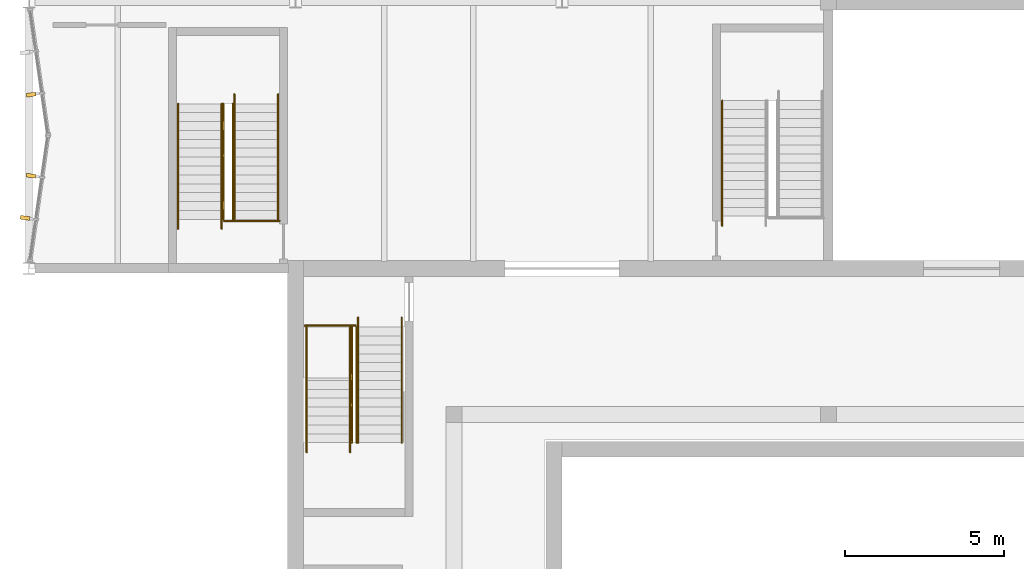
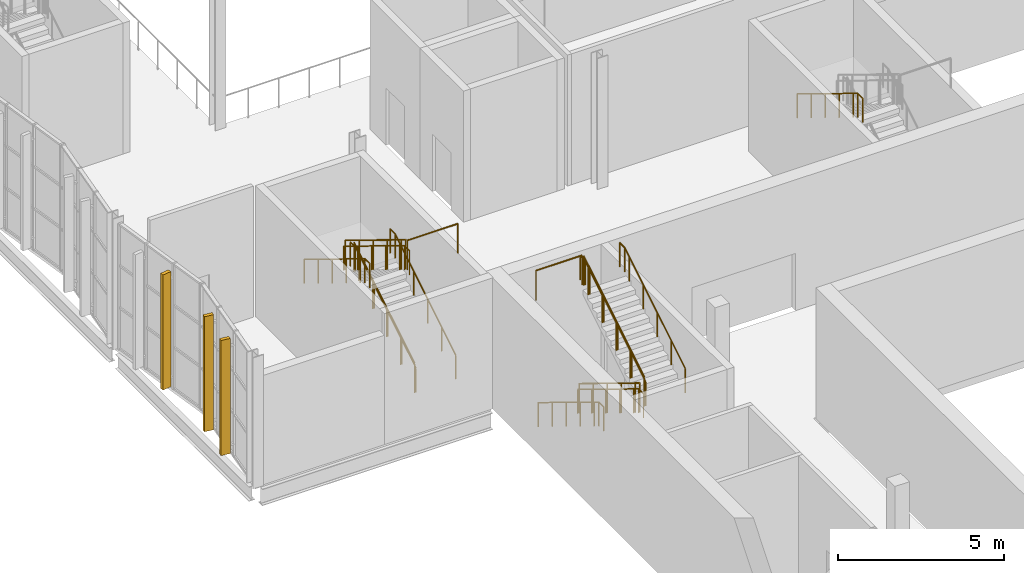
# One storey, part 109 of 127: 15 railings, 3 shading devices.
"""IFC4 building model written with IfcOpenShell, lengths in metres."""

from ifc_helpers import new_model, si_unit, direction, frame, origin, origin_2d, place, context, subcontext, project, spatial, rectangle, circle, extrude, material, type_object, element, save


model = new_model("IFC4")

# Units and contexts
model_context = context("Model", 3, precision=1e-05, world=origin(), true_north=direction((0.0, 1.0)))
body_context = subcontext(model_context, "Body", "Model", "MODEL_VIEW")
ifc_project = project(units=[si_unit("LENGTHUNIT", "METRE"), si_unit("AREAUNIT", "SQUARE_METRE"), si_unit("VOLUMEUNIT", "CUBIC_METRE"), si_unit("PLANEANGLEUNIT", "RADIAN"), si_unit("MASSUNIT", "GRAM", prefix="KILO")], contexts=[model_context])

# Site, building, storey
site_placement = place(None, origin())
site = spatial("IfcSite", under=ifc_project, at=site_placement, CompositionType="ELEMENT")
building_placement = place(site_placement, origin())
building = spatial("IfcBuilding", under=site, at=building_placement, Name="Ljudholm Concert House", CompositionType="ELEMENT")
storey_placement = place(building_placement, frame((0.0, 0.0, 5.39990234375)))
storey = spatial("IfcBuildingStorey", under=building, at=storey_placement, Name="L01", CompositionType="ELEMENT", Elevation=5.39990234375)

# Shading devices
ifc_material_1 = material(Name="Aluminium extrusion with timber-grain PVDF finish", Category="aluminium")
shading_device_type = type_object("IfcShadingDeviceType", Name="FACADE FIN 300x120", PredefinedType="SHUTTER", material=ifc_material_1)
for number, where, z_axis, x_axis, name in (
    (1, (3.874267578125, 47.5947265625, 0.2001953125), (0.0, 0.0, 1.0), (-0.989949493662, 0.141421356235, 0.0), "Facade fin"),
    (2, (4.06396484375, 48.922119140625, 0.2001953125), (0.0, 0.0, 1.0), (-0.989949493662, 0.141421356235, 0.0), "Facade fin"),
    (3, (4.06396484375, 51.47802734375, 0.2001953125), (0.0, 0.0, 1.0), (-0.989949493662, -0.141421356235, 0.0), "Facade fin"),
):
    element("IfcShadingDevice", number, at=place(storey_placement, frame(where, z_axis=z_axis, x_axis=x_axis)), inside=storey, type_object=shading_device_type, Name=name, PredefinedType="SHUTTER", context=body_context, shape_type="SweptSolid", body=[
        extrude(rectangle(XDim=0.300048828125, YDim=0.1201171875, at=origin_2d()), origin(), (0.0, 0.0, 1.0), 4.219970703125),
    ])

# Railings
ifc_material_2 = material(Name="Steel ASTM A36", Category="steel")
railing_type_1 = type_object("IfcRailingType", Name="GUARD 1100", PredefinedType="GUARDRAIL", material=ifc_material_2)
railing_1_placement = place(storey_placement, frame((14.175048828125, 44.14990234375, 0.171630859375)))
element("IfcRailing", 4, at=railing_1_placement, inside=storey, type_object=railing_type_1, Name="Guard", PredefinedType="GUARDRAIL", context=body_context, shape_type="SweptSolid", body=[
    extrude(circle(Radius=0.02490234375, at=origin_2d()), frame((0.0, 0.0, 1.0751953125), z_axis=(0.0, -0.85286482292, 0.522131778218), x_axis=(1.0, 0.0, 0.0)), (0.0, 0.0, 1.0), 0.984619140625),
    extrude(circle(Radius=0.02490234375, at=origin_2d()), frame((0.0, -0.83984375, 1.58935546875), z_axis=(0.0, -0.852822021269, 0.522201685212), x_axis=(1.0, 0.0, 0.0)), (0.0, 0.0, 1.0), 0.985107421875),
    extrude(circle(Radius=0.02490234375, at=origin_2d()), frame((0.0, -1.679931640625, 2.103515625), z_axis=(0.0, -0.852932391421, 0.522021393877), x_axis=(1.0, 0.0, 0.0)), (0.0, 0.0, 1.0), 0.98486328125),
    extrude(circle(Radius=0.02490234375, at=origin_2d()), frame((0.0, -2.52001953125, 2.61767578125), z_axis=(0.0, -0.852754414843, 0.522312079092), x_axis=(1.0, 0.0, 0.0)), (0.0, 0.0, 1.0), 0.98486328125),
    extrude(circle(Radius=0.02490234375, at=origin_2d()), frame((0.0, -3.35986328125, 3.13232421875), z_axis=(0.0, -0.852932391421, 0.522021393877), x_axis=(1.0, 0.0, 0.0)), (0.0, 0.0, 1.0), 0.328369140625),
    extrude(circle(Radius=0.02099609375, at=origin_2d()), origin(), (0.0, 0.0, 1.0), 1.050048828125),
    extrude(circle(Radius=0.02099609375, at=origin_2d()), frame((0.0, -0.83984375, 0.51416015625)), (0.0, 0.0, 1.0), 1.050048828125),
    extrude(circle(Radius=0.02099609375, at=origin_2d()), frame((0.0, -1.679931640625, 1.028564453125)), (0.0, 0.0, 1.0), 1.050048828125),
    extrude(circle(Radius=0.02099609375, at=origin_2d()), frame((0.0, -2.52001953125, 1.542724609375)), (0.0, 0.0, 1.0), 1.050048828125),
    extrude(circle(Radius=0.02099609375, at=origin_2d()), frame((0.0, -3.35986328125, 2.05712890625)), (0.0, 0.0, 1.0), 1.050048828125),
    extrude(circle(Radius=0.02099609375, at=origin_2d()), frame((0.0, -3.639892578125, 2.228515625)), (0.0, 0.0, 1.0), 1.050048828125),
])
railing_2_placement = place(storey_placement, frame((14.324951171875, 40.510009765625, 2.571533203125)))
element("IfcRailing", 5, at=railing_2_placement, inside=storey, type_object=railing_type_1, Name="Guard", PredefinedType="GUARDRAIL", context=body_context, shape_type="SweptSolid", body=[
    extrude(circle(Radius=0.02490234375, at=origin_2d()), frame((0.0, 0.0, 1.0751953125), z_axis=(0.0, 0.852932391421, 0.522021393877), x_axis=(-1.0, 0.0, 0.0)), (0.0, 0.0, 1.0), 0.98486328125),
    extrude(circle(Radius=0.02490234375, at=origin_2d()), frame((0.0, 0.840087890625, 1.58935546875), z_axis=(0.0, 0.852754414843, 0.522312079092), x_axis=(-1.0, 0.0, 0.0)), (0.0, 0.0, 1.0), 0.98486328125),
    extrude(circle(Radius=0.02490234375, at=origin_2d()), frame((0.0, 1.679931640625, 2.103515625), z_axis=(0.0, 0.852822021269, 0.522201685212), x_axis=(-1.0, 0.0, 0.0)), (0.0, 0.0, 1.0), 0.985107421875),
    extrude(circle(Radius=0.02490234375, at=origin_2d()), frame((0.0, 2.52001953125, 2.6181640625), z_axis=(0.0, 0.852932391421, 0.522021393877), x_axis=(-1.0, 0.0, 0.0)), (0.0, 0.0, 1.0), 0.98486328125),
    extrude(circle(Radius=0.02490234375, at=origin_2d()), frame((0.0, 3.360107421875, 3.13232421875), z_axis=(0.0, 0.852729557261, 0.522352660731), x_axis=(-1.0, 0.0, 0.0)), (0.0, 0.0, 1.0), 0.328125),
    extrude(circle(Radius=0.02099609375, at=origin_2d()), origin(), (0.0, 0.0, 1.0), 1.050048828125),
    extrude(circle(Radius=0.02099609375, at=origin_2d()), frame((0.0, 0.840087890625, 0.51416015625)), (0.0, 0.0, 1.0), 1.050048828125),
    extrude(circle(Radius=0.02099609375, at=origin_2d()), frame((0.0, 1.679931640625, 1.028564453125)), (0.0, 0.0, 1.0), 1.050048828125),
    extrude(circle(Radius=0.02099609375, at=origin_2d()), frame((0.0, 2.52001953125, 1.54296875)), (0.0, 0.0, 1.0), 1.050048828125),
    extrude(circle(Radius=0.02099609375, at=origin_2d()), frame((0.0, 3.360107421875, 2.05712890625)), (0.0, 0.0, 1.0), 1.050048828125),
    extrude(circle(Radius=0.02099609375, at=origin_2d()), frame((0.0, 3.639892578125, 2.228515625)), (0.0, 0.0, 1.0), 1.050048828125),
])
railing_3_placement = place(storey_placement, frame((12.699951171875, 44.199951171875, 4.800048828125)))
element("IfcRailing", 6, at=railing_3_placement, inside=storey, type_object=railing_type_1, Name="Guard", PredefinedType="GUARDRAIL", context=body_context, shape_type="SweptSolid", body=[
    extrude(circle(Radius=0.02490234375, at=origin_2d()), frame((0.0, 0.0, 1.0751953125), z_axis=(1.0, 0.0, 0.0), x_axis=(0.0, 1.0, 0.0)), (0.0, 0.0, 1.0), 1.60009765625),
    extrude(circle(Radius=0.02099609375, at=origin_2d()), origin(), (0.0, 0.0, 1.0), 1.050048828125),
    extrude(circle(Radius=0.02099609375, at=origin_2d()), frame((1.60009765625, 0.0, 0.0)), (0.0, 0.0, 1.0), 1.050048828125),
])
railing_4_placement = place(storey_placement, frame((10.425048828125, 47.550048828125, 0.171630859375)))
element("IfcRailing", 7, at=railing_4_placement, inside=storey, type_object=railing_type_1, Name="Guard", PredefinedType="GUARDRAIL", context=body_context, shape_type="SweptSolid", body=[
    extrude(circle(Radius=0.02490234375, at=origin_2d()), frame((0.0, 0.0, 1.0751953125), z_axis=(0.0, 0.85286482292, 0.522131778218), x_axis=(-1.0, 0.0, 0.0)), (0.0, 0.0, 1.0), 0.984619140625),
    extrude(circle(Radius=0.02490234375, at=origin_2d()), frame((0.0, 0.83984375, 1.58935546875), z_axis=(0.0, 0.852822021269, 0.522201685212), x_axis=(-1.0, 0.0, 0.0)), (0.0, 0.0, 1.0), 0.985107421875),
    extrude(circle(Radius=0.02490234375, at=origin_2d()), frame((0.0, 1.679931640625, 2.103515625), z_axis=(0.0, 0.852932391421, 0.522021393877), x_axis=(-1.0, 0.0, 0.0)), (0.0, 0.0, 1.0), 0.98486328125),
    extrude(circle(Radius=0.02490234375, at=origin_2d()), frame((0.0, 2.52001953125, 2.61767578125), z_axis=(0.0, 0.852754414843, 0.522312079092), x_axis=(-1.0, 0.0, 0.0)), (0.0, 0.0, 1.0), 0.98486328125),
    extrude(circle(Radius=0.02490234375, at=origin_2d()), frame((0.0, 3.35986328125, 3.13232421875), z_axis=(0.0, 0.852932391421, 0.522021393877), x_axis=(-1.0, 0.0, 0.0)), (0.0, 0.0, 1.0), 0.328369140625),
    extrude(circle(Radius=0.02099609375, at=origin_2d()), origin(), (0.0, 0.0, 1.0), 1.050048828125),
    extrude(circle(Radius=0.02099609375, at=origin_2d()), frame((0.0, 0.83984375, 0.51416015625)), (0.0, 0.0, 1.0), 1.050048828125),
    extrude(circle(Radius=0.02099609375, at=origin_2d()), frame((0.0, 1.679931640625, 1.028564453125)), (0.0, 0.0, 1.0), 1.050048828125),
    extrude(circle(Radius=0.02099609375, at=origin_2d()), frame((0.0, 2.52001953125, 1.542724609375)), (0.0, 0.0, 1.0), 1.050048828125),
    extrude(circle(Radius=0.02099609375, at=origin_2d()), frame((0.0, 3.35986328125, 2.05712890625)), (0.0, 0.0, 1.0), 1.050048828125),
    extrude(circle(Radius=0.02099609375, at=origin_2d()), frame((0.0, 3.639892578125, 2.228515625)), (0.0, 0.0, 1.0), 1.050048828125),
])
railing_5_placement = place(storey_placement, frame((10.125, 51.18994140625, 2.571533203125)))
element("IfcRailing", 8, at=railing_5_placement, inside=storey, type_object=railing_type_1, Name="Guard", PredefinedType="GUARDRAIL", context=body_context, shape_type="SweptSolid", body=[
    extrude(circle(Radius=0.02490234375, at=origin_2d()), frame((0.0, 0.0, 1.0751953125), z_axis=(0.0, -0.85286482292, 0.522131778218), x_axis=(1.0, 0.0, 0.0)), (0.0, 0.0, 1.0), 0.984619140625),
    extrude(circle(Radius=0.02490234375, at=origin_2d()), frame((0.0, -0.83984375, 1.58935546875), z_axis=(0.0, -0.852822021269, 0.522201685212), x_axis=(1.0, 0.0, 0.0)), (0.0, 0.0, 1.0), 0.985107421875),
    extrude(circle(Radius=0.02490234375, at=origin_2d()), frame((0.0, -1.679931640625, 2.103515625), z_axis=(0.0, -0.852822021269, 0.522201685212), x_axis=(1.0, 0.0, 0.0)), (0.0, 0.0, 1.0), 0.985107421875),
    extrude(circle(Radius=0.02490234375, at=origin_2d()), frame((0.0, -2.52001953125, 2.6181640625), z_axis=(0.0, -0.85286482292, 0.522131778218), x_axis=(1.0, 0.0, 0.0)), (0.0, 0.0, 1.0), 0.984619140625),
    extrude(circle(Radius=0.02490234375, at=origin_2d()), frame((0.0, -3.35986328125, 3.13232421875), z_axis=(0.0, -0.852932391421, 0.522021393877), x_axis=(1.0, 0.0, 0.0)), (0.0, 0.0, 1.0), 0.328369140625),
    extrude(circle(Radius=0.02099609375, at=origin_2d()), origin(), (0.0, 0.0, 1.0), 1.050048828125),
    extrude(circle(Radius=0.02099609375, at=origin_2d()), frame((0.0, -0.83984375, 0.51416015625)), (0.0, 0.0, 1.0), 1.050048828125),
    extrude(circle(Radius=0.02099609375, at=origin_2d()), frame((0.0, -1.679931640625, 1.028564453125)), (0.0, 0.0, 1.0), 1.050048828125),
    extrude(circle(Radius=0.02099609375, at=origin_2d()), frame((0.0, -2.52001953125, 1.54296875)), (0.0, 0.0, 1.0), 1.050048828125),
    extrude(circle(Radius=0.02099609375, at=origin_2d()), frame((0.0, -3.35986328125, 2.05712890625)), (0.0, 0.0, 1.0), 1.050048828125),
    extrude(circle(Radius=0.02099609375, at=origin_2d()), frame((0.0, -3.639892578125, 2.228515625)), (0.0, 0.0, 1.0), 1.050048828125),
])
railing_6_placement = place(storey_placement, frame((11.89990234375, 47.5, 4.800048828125)))
element("IfcRailing", 9, at=railing_6_placement, inside=storey, type_object=railing_type_1, Name="Guard", PredefinedType="GUARDRAIL", context=body_context, shape_type="SweptSolid", body=[
    extrude(circle(Radius=0.02490234375, at=origin_2d()), frame((0.0, 0.0, 1.0751953125), z_axis=(-1.0, 0.0, 0.0), x_axis=(0.0, -1.0, 0.0)), (0.0, 0.0, 1.0), 1.75),
    extrude(circle(Radius=0.02099609375, at=origin_2d()), origin(), (0.0, 0.0, 1.0), 1.050048828125),
    extrude(circle(Radius=0.02099609375, at=origin_2d()), frame((-1.75, 0.0, 0.0)), (0.0, 0.0, 1.0), 1.050048828125),
])
ifc_material_3 = material(Name="Steel ASTM A36", Category="steel")
railing_type_2 = type_object("IfcRailingType", Name="HANDRAIL 900", PredefinedType="HANDRAIL", material=ifc_material_3)
railing_7_placement = place(storey_placement, frame((14.125, 44.14990234375, 0.171630859375)))
element("IfcRailing", 10, at=railing_7_placement, inside=storey, type_object=railing_type_2, Name="Handrail", PredefinedType="HANDRAIL", context=body_context, shape_type="SweptSolid", body=[
    extrude(circle(Radius=0.0224609375, at=origin_2d()), frame((0.0, 0.0, 0.87744140625), z_axis=(0.0, -0.85286482292, 0.522131778218), x_axis=(1.0, 0.0, 0.0)), (0.0, 0.0, 1.0), 0.984619140625),
    extrude(circle(Radius=0.0224609375, at=origin_2d()), frame((0.0, -0.83984375, 1.3916015625), z_axis=(0.0, -0.852822021269, 0.522201685212), x_axis=(1.0, 0.0, 0.0)), (0.0, 0.0, 1.0), 0.985107421875),
    extrude(circle(Radius=0.0224609375, at=origin_2d()), frame((0.0, -1.679931640625, 1.906005859375), z_axis=(0.0, -0.852932391421, 0.522021393877), x_axis=(1.0, 0.0, 0.0)), (0.0, 0.0, 1.0), 0.98486328125),
    extrude(circle(Radius=0.0224609375, at=origin_2d()), frame((0.0, -2.52001953125, 2.420166015625), z_axis=(0.0, -0.852754414843, 0.522312079092), x_axis=(1.0, 0.0, 0.0)), (0.0, 0.0, 1.0), 0.98486328125),
    extrude(circle(Radius=0.0224609375, at=origin_2d()), frame((0.0, -3.35986328125, 2.9345703125), z_axis=(0.0, -0.852932391421, 0.522021393877), x_axis=(1.0, 0.0, 0.0)), (0.0, 0.0, 1.0), 0.328369140625),
    extrude(circle(Radius=0.0224609375, at=origin_2d()), frame((0.0, -3.639892578125, 3.10595703125), z_axis=(0.0, -1.0, 0.0), x_axis=(1.0, 0.0, 0.0)), (0.0, 0.0, 1.0), 0.300048828125),
    extrude(circle(Radius=0.02099609375, at=origin_2d()), origin(), (0.0, 0.0, 1.0), 0.85498046875),
    extrude(circle(Radius=0.02099609375, at=origin_2d()), frame((0.0, -0.83984375, 0.51416015625)), (0.0, 0.0, 1.0), 0.85498046875),
    extrude(circle(Radius=0.02099609375, at=origin_2d()), frame((0.0, -1.679931640625, 1.028564453125)), (0.0, 0.0, 1.0), 0.85498046875),
    extrude(circle(Radius=0.02099609375, at=origin_2d()), frame((0.0, -2.52001953125, 1.542724609375)), (0.0, 0.0, 1.0), 0.85498046875),
    extrude(circle(Radius=0.02099609375, at=origin_2d()), frame((0.0, -3.35986328125, 2.05712890625)), (0.0, 0.0, 1.0), 0.85498046875),
    extrude(circle(Radius=0.02099609375, at=origin_2d()), frame((0.0, -3.639892578125, 2.228515625)), (0.0, 0.0, 1.0), 0.85498046875),
    extrude(circle(Radius=0.02099609375, at=origin_2d()), frame((0.0, -3.93994140625, 2.228515625)), (0.0, 0.0, 1.0), 0.85498046875),
])
railing_8_placement = place(storey_placement, frame((12.75, 44.14990234375, 0.171630859375)))
element("IfcRailing", 11, at=railing_8_placement, inside=storey, type_object=railing_type_2, Name="Handrail", PredefinedType="HANDRAIL", context=body_context, shape_type="SweptSolid", body=[
    extrude(circle(Radius=0.0224609375, at=origin_2d()), frame((0.0, 0.0, 0.87744140625), z_axis=(0.0, -0.85286482292, 0.522131778218), x_axis=(1.0, 0.0, 0.0)), (0.0, 0.0, 1.0), 0.984619140625),
    extrude(circle(Radius=0.0224609375, at=origin_2d()), frame((0.0, -0.83984375, 1.3916015625), z_axis=(0.0, -0.852822021269, 0.522201685212), x_axis=(1.0, 0.0, 0.0)), (0.0, 0.0, 1.0), 0.985107421875),
    extrude(circle(Radius=0.0224609375, at=origin_2d()), frame((0.0, -1.679931640625, 1.906005859375), z_axis=(0.0, -0.852932391421, 0.522021393877), x_axis=(1.0, 0.0, 0.0)), (0.0, 0.0, 1.0), 0.98486328125),
    extrude(circle(Radius=0.0224609375, at=origin_2d()), frame((0.0, -2.52001953125, 2.420166015625), z_axis=(0.0, -0.852754414843, 0.522312079092), x_axis=(1.0, 0.0, 0.0)), (0.0, 0.0, 1.0), 0.98486328125),
    extrude(circle(Radius=0.0224609375, at=origin_2d()), frame((0.0, -3.35986328125, 2.9345703125), z_axis=(0.0, -0.852932391421, 0.522021393877), x_axis=(1.0, 0.0, 0.0)), (0.0, 0.0, 1.0), 0.328369140625),
    extrude(circle(Radius=0.0224609375, at=origin_2d()), frame((0.0, -3.639892578125, 3.10595703125), z_axis=(0.0, -1.0, 0.0), x_axis=(1.0, 0.0, 0.0)), (0.0, 0.0, 1.0), 0.300048828125),
    extrude(circle(Radius=0.02099609375, at=origin_2d()), origin(), (0.0, 0.0, 1.0), 0.85498046875),
    extrude(circle(Radius=0.02099609375, at=origin_2d()), frame((0.0, -0.83984375, 0.51416015625)), (0.0, 0.0, 1.0), 0.85498046875),
    extrude(circle(Radius=0.02099609375, at=origin_2d()), frame((0.0, -1.679931640625, 1.028564453125)), (0.0, 0.0, 1.0), 0.85498046875),
    extrude(circle(Radius=0.02099609375, at=origin_2d()), frame((0.0, -2.52001953125, 1.542724609375)), (0.0, 0.0, 1.0), 0.85498046875),
    extrude(circle(Radius=0.02099609375, at=origin_2d()), frame((0.0, -3.35986328125, 2.05712890625)), (0.0, 0.0, 1.0), 0.85498046875),
    extrude(circle(Radius=0.02099609375, at=origin_2d()), frame((0.0, -3.639892578125, 2.228515625)), (0.0, 0.0, 1.0), 0.85498046875),
    extrude(circle(Radius=0.02099609375, at=origin_2d()), frame((0.0, -3.93994140625, 2.228515625)), (0.0, 0.0, 1.0), 0.85498046875),
])
railing_9_placement = place(storey_placement, frame((14.375, 40.510009765625, 2.571533203125)))
element("IfcRailing", 12, at=railing_9_placement, inside=storey, type_object=railing_type_2, Name="Handrail", PredefinedType="HANDRAIL", context=body_context, shape_type="SweptSolid", body=[
    extrude(circle(Radius=0.0224609375, at=origin_2d()), frame((0.0, 0.0, 0.87744140625), z_axis=(0.0, 0.852932391421, 0.522021393877), x_axis=(-1.0, 0.0, 0.0)), (0.0, 0.0, 1.0), 0.98486328125),
    extrude(circle(Radius=0.0224609375, at=origin_2d()), frame((0.0, 0.840087890625, 1.3916015625), z_axis=(0.0, 0.852754414843, 0.522312079092), x_axis=(-1.0, 0.0, 0.0)), (0.0, 0.0, 1.0), 0.98486328125),
    extrude(circle(Radius=0.0224609375, at=origin_2d()), frame((0.0, 1.679931640625, 1.906005859375), z_axis=(0.0, 0.852822021269, 0.522201685212), x_axis=(-1.0, 0.0, 0.0)), (0.0, 0.0, 1.0), 0.985107421875),
    extrude(circle(Radius=0.0224609375, at=origin_2d()), frame((0.0, 2.52001953125, 2.42041015625), z_axis=(0.0, 0.852932391421, 0.522021393877), x_axis=(-1.0, 0.0, 0.0)), (0.0, 0.0, 1.0), 0.98486328125),
    extrude(circle(Radius=0.0224609375, at=origin_2d()), frame((0.0, 3.360107421875, 2.9345703125), z_axis=(0.0, 0.852729557261, 0.522352660731), x_axis=(-1.0, 0.0, 0.0)), (0.0, 0.0, 1.0), 0.328125),
    extrude(circle(Radius=0.0224609375, at=origin_2d()), frame((0.0, 3.639892578125, 3.10595703125), z_axis=(0.0, 1.0, 0.0), x_axis=(-1.0, 0.0, 0.0)), (0.0, 0.0, 1.0), 0.300048828125),
    extrude(circle(Radius=0.02099609375, at=origin_2d()), origin(), (0.0, 0.0, 1.0), 0.85498046875),
    extrude(circle(Radius=0.02099609375, at=origin_2d()), frame((0.0, 0.840087890625, 0.51416015625)), (0.0, 0.0, 1.0), 0.85498046875),
    extrude(circle(Radius=0.02099609375, at=origin_2d()), frame((0.0, 1.679931640625, 1.028564453125)), (0.0, 0.0, 1.0), 0.85498046875),
    extrude(circle(Radius=0.02099609375, at=origin_2d()), frame((0.0, 2.52001953125, 1.54296875)), (0.0, 0.0, 1.0), 0.85498046875),
    extrude(circle(Radius=0.02099609375, at=origin_2d()), frame((0.0, 3.360107421875, 2.05712890625)), (0.0, 0.0, 1.0), 0.85498046875),
    extrude(circle(Radius=0.02099609375, at=origin_2d()), frame((0.0, 3.639892578125, 2.228515625)), (0.0, 0.0, 1.0), 0.85498046875),
    extrude(circle(Radius=0.02099609375, at=origin_2d()), frame((0.0, 3.93994140625, 2.228515625)), (0.0, 0.0, 1.0), 0.85498046875),
])
railing_10_placement = place(storey_placement, frame((15.75, 40.510009765625, 2.571533203125)))
element("IfcRailing", 13, at=railing_10_placement, inside=storey, type_object=railing_type_2, Name="Handrail", PredefinedType="HANDRAIL", context=body_context, shape_type="SweptSolid", body=[
    extrude(circle(Radius=0.0224609375, at=origin_2d()), frame((0.0, 0.0, 0.87744140625), z_axis=(0.0, 0.852932391421, 0.522021393877), x_axis=(-1.0, 0.0, 0.0)), (0.0, 0.0, 1.0), 0.98486328125),
    extrude(circle(Radius=0.0224609375, at=origin_2d()), frame((0.0, 0.840087890625, 1.3916015625), z_axis=(0.0, 0.852754414843, 0.522312079092), x_axis=(-1.0, 0.0, 0.0)), (0.0, 0.0, 1.0), 0.98486328125),
    extrude(circle(Radius=0.0224609375, at=origin_2d()), frame((0.0, 1.679931640625, 1.906005859375), z_axis=(0.0, 0.852822021269, 0.522201685212), x_axis=(-1.0, 0.0, 0.0)), (0.0, 0.0, 1.0), 0.985107421875),
    extrude(circle(Radius=0.0224609375, at=origin_2d()), frame((0.0, 2.52001953125, 2.42041015625), z_axis=(0.0, 0.852932391421, 0.522021393877), x_axis=(-1.0, 0.0, 0.0)), (0.0, 0.0, 1.0), 0.98486328125),
    extrude(circle(Radius=0.0224609375, at=origin_2d()), frame((0.0, 3.360107421875, 2.9345703125), z_axis=(0.0, 0.852729557261, 0.522352660731), x_axis=(-1.0, 0.0, 0.0)), (0.0, 0.0, 1.0), 0.328125),
    extrude(circle(Radius=0.0224609375, at=origin_2d()), frame((0.0, 3.639892578125, 3.10595703125), z_axis=(0.0, 1.0, 0.0), x_axis=(-1.0, 0.0, 0.0)), (0.0, 0.0, 1.0), 0.300048828125),
    extrude(circle(Radius=0.02099609375, at=origin_2d()), origin(), (0.0, 0.0, 1.0), 0.85498046875),
    extrude(circle(Radius=0.02099609375, at=origin_2d()), frame((0.0, 0.840087890625, 0.51416015625)), (0.0, 0.0, 1.0), 0.85498046875),
    extrude(circle(Radius=0.02099609375, at=origin_2d()), frame((0.0, 1.679931640625, 1.028564453125)), (0.0, 0.0, 1.0), 0.85498046875),
    extrude(circle(Radius=0.02099609375, at=origin_2d()), frame((0.0, 2.52001953125, 1.54296875)), (0.0, 0.0, 1.0), 0.85498046875),
    extrude(circle(Radius=0.02099609375, at=origin_2d()), frame((0.0, 3.360107421875, 2.05712890625)), (0.0, 0.0, 1.0), 0.85498046875),
    extrude(circle(Radius=0.02099609375, at=origin_2d()), frame((0.0, 3.639892578125, 2.228515625)), (0.0, 0.0, 1.0), 0.85498046875),
    extrude(circle(Radius=0.02099609375, at=origin_2d()), frame((0.0, 3.93994140625, 2.228515625)), (0.0, 0.0, 1.0), 0.85498046875),
])
railing_11_placement = place(storey_placement, frame((10.47509765625, 47.550048828125, 0.171630859375)))
element("IfcRailing", 14, at=railing_11_placement, inside=storey, type_object=railing_type_2, Name="Handrail", PredefinedType="HANDRAIL", context=body_context, shape_type="SweptSolid", body=[
    extrude(circle(Radius=0.0224609375, at=origin_2d()), frame((0.0, 0.0, 0.87744140625), z_axis=(0.0, 0.85286482292, 0.522131778218), x_axis=(-1.0, 0.0, 0.0)), (0.0, 0.0, 1.0), 0.984619140625),
    extrude(circle(Radius=0.0224609375, at=origin_2d()), frame((0.0, 0.83984375, 1.3916015625), z_axis=(0.0, 0.852822021269, 0.522201685212), x_axis=(-1.0, 0.0, 0.0)), (0.0, 0.0, 1.0), 0.985107421875),
    extrude(circle(Radius=0.0224609375, at=origin_2d()), frame((0.0, 1.679931640625, 1.906005859375), z_axis=(0.0, 0.852932391421, 0.522021393877), x_axis=(-1.0, 0.0, 0.0)), (0.0, 0.0, 1.0), 0.98486328125),
    extrude(circle(Radius=0.0224609375, at=origin_2d()), frame((0.0, 2.52001953125, 2.420166015625), z_axis=(0.0, 0.852754414843, 0.522312079092), x_axis=(-1.0, 0.0, 0.0)), (0.0, 0.0, 1.0), 0.98486328125),
    extrude(circle(Radius=0.0224609375, at=origin_2d()), frame((0.0, 3.35986328125, 2.9345703125), z_axis=(0.0, 0.852932391421, 0.522021393877), x_axis=(-1.0, 0.0, 0.0)), (0.0, 0.0, 1.0), 0.328369140625),
    extrude(circle(Radius=0.0224609375, at=origin_2d()), frame((0.0, 3.639892578125, 3.10595703125), z_axis=(0.0, 1.0, 0.0), x_axis=(-1.0, 0.0, 0.0)), (0.0, 0.0, 1.0), 0.300048828125),
    extrude(circle(Radius=0.02099609375, at=origin_2d()), origin(), (0.0, 0.0, 1.0), 0.85498046875),
    extrude(circle(Radius=0.02099609375, at=origin_2d()), frame((0.0, 0.83984375, 0.51416015625)), (0.0, 0.0, 1.0), 0.85498046875),
    extrude(circle(Radius=0.02099609375, at=origin_2d()), frame((0.0, 1.679931640625, 1.028564453125)), (0.0, 0.0, 1.0), 0.85498046875),
    extrude(circle(Radius=0.02099609375, at=origin_2d()), frame((0.0, 2.52001953125, 1.542724609375)), (0.0, 0.0, 1.0), 0.85498046875),
    extrude(circle(Radius=0.02099609375, at=origin_2d()), frame((0.0, 3.35986328125, 2.05712890625)), (0.0, 0.0, 1.0), 0.85498046875),
    extrude(circle(Radius=0.02099609375, at=origin_2d()), frame((0.0, 3.639892578125, 2.228515625)), (0.0, 0.0, 1.0), 0.85498046875),
    extrude(circle(Radius=0.02099609375, at=origin_2d()), frame((0.0, 3.93994140625, 2.228515625)), (0.0, 0.0, 1.0), 0.85498046875),
])
railing_12_placement = place(storey_placement, frame((11.85009765625, 47.550048828125, 0.171630859375)))
element("IfcRailing", 15, at=railing_12_placement, inside=storey, type_object=railing_type_2, Name="Handrail", PredefinedType="HANDRAIL", context=body_context, shape_type="SweptSolid", body=[
    extrude(circle(Radius=0.0224609375, at=origin_2d()), frame((0.0, 0.0, 0.87744140625), z_axis=(0.0, 0.85286482292, 0.522131778218), x_axis=(-1.0, 0.0, 0.0)), (0.0, 0.0, 1.0), 0.984619140625),
    extrude(circle(Radius=0.0224609375, at=origin_2d()), frame((0.0, 0.83984375, 1.3916015625), z_axis=(0.0, 0.852822021269, 0.522201685212), x_axis=(-1.0, 0.0, 0.0)), (0.0, 0.0, 1.0), 0.985107421875),
    extrude(circle(Radius=0.0224609375, at=origin_2d()), frame((0.0, 1.679931640625, 1.906005859375), z_axis=(0.0, 0.852932391421, 0.522021393877), x_axis=(-1.0, 0.0, 0.0)), (0.0, 0.0, 1.0), 0.98486328125),
    extrude(circle(Radius=0.0224609375, at=origin_2d()), frame((0.0, 2.52001953125, 2.420166015625), z_axis=(0.0, 0.852754414843, 0.522312079092), x_axis=(-1.0, 0.0, 0.0)), (0.0, 0.0, 1.0), 0.98486328125),
    extrude(circle(Radius=0.0224609375, at=origin_2d()), frame((0.0, 3.35986328125, 2.9345703125), z_axis=(0.0, 0.852932391421, 0.522021393877), x_axis=(-1.0, 0.0, 0.0)), (0.0, 0.0, 1.0), 0.328369140625),
    extrude(circle(Radius=0.0224609375, at=origin_2d()), frame((0.0, 3.639892578125, 3.10595703125), z_axis=(0.0, 1.0, 0.0), x_axis=(-1.0, 0.0, 0.0)), (0.0, 0.0, 1.0), 0.300048828125),
    extrude(circle(Radius=0.02099609375, at=origin_2d()), origin(), (0.0, 0.0, 1.0), 0.85498046875),
    extrude(circle(Radius=0.02099609375, at=origin_2d()), frame((0.0, 0.83984375, 0.51416015625)), (0.0, 0.0, 1.0), 0.85498046875),
    extrude(circle(Radius=0.02099609375, at=origin_2d()), frame((0.0, 1.679931640625, 1.028564453125)), (0.0, 0.0, 1.0), 0.85498046875),
    extrude(circle(Radius=0.02099609375, at=origin_2d()), frame((0.0, 2.52001953125, 1.542724609375)), (0.0, 0.0, 1.0), 0.85498046875),
    extrude(circle(Radius=0.02099609375, at=origin_2d()), frame((0.0, 3.35986328125, 2.05712890625)), (0.0, 0.0, 1.0), 0.85498046875),
    extrude(circle(Radius=0.02099609375, at=origin_2d()), frame((0.0, 3.639892578125, 2.228515625)), (0.0, 0.0, 1.0), 0.85498046875),
    extrude(circle(Radius=0.02099609375, at=origin_2d()), frame((0.0, 3.93994140625, 2.228515625)), (0.0, 0.0, 1.0), 0.85498046875),
])
railing_13_placement = place(storey_placement, frame((10.074951171875, 51.18994140625, 2.571533203125)))
element("IfcRailing", 16, at=railing_13_placement, inside=storey, type_object=railing_type_2, Name="Handrail", PredefinedType="HANDRAIL", context=body_context, shape_type="SweptSolid", body=[
    extrude(circle(Radius=0.0224609375, at=origin_2d()), frame((0.0, 0.0, 0.87744140625), z_axis=(0.0, -0.85286482292, 0.522131778218), x_axis=(1.0, 0.0, 0.0)), (0.0, 0.0, 1.0), 0.984619140625),
    extrude(circle(Radius=0.0224609375, at=origin_2d()), frame((0.0, -0.83984375, 1.3916015625), z_axis=(0.0, -0.852822021269, 0.522201685212), x_axis=(1.0, 0.0, 0.0)), (0.0, 0.0, 1.0), 0.985107421875),
    extrude(circle(Radius=0.0224609375, at=origin_2d()), frame((0.0, -1.679931640625, 1.906005859375), z_axis=(0.0, -0.852822021269, 0.522201685212), x_axis=(1.0, 0.0, 0.0)), (0.0, 0.0, 1.0), 0.985107421875),
    extrude(circle(Radius=0.0224609375, at=origin_2d()), frame((0.0, -2.52001953125, 2.42041015625), z_axis=(0.0, -0.85286482292, 0.522131778218), x_axis=(1.0, 0.0, 0.0)), (0.0, 0.0, 1.0), 0.984619140625),
    extrude(circle(Radius=0.0224609375, at=origin_2d()), frame((0.0, -3.35986328125, 2.9345703125), z_axis=(0.0, -0.852932391421, 0.522021393877), x_axis=(1.0, 0.0, 0.0)), (0.0, 0.0, 1.0), 0.328369140625),
    extrude(circle(Radius=0.0224609375, at=origin_2d()), frame((0.0, -3.639892578125, 3.10595703125), z_axis=(0.0, -1.0, 0.0), x_axis=(1.0, 0.0, 0.0)), (0.0, 0.0, 1.0), 0.300048828125),
    extrude(circle(Radius=0.02099609375, at=origin_2d()), origin(), (0.0, 0.0, 1.0), 0.85498046875),
    extrude(circle(Radius=0.02099609375, at=origin_2d()), frame((0.0, -0.83984375, 0.51416015625)), (0.0, 0.0, 1.0), 0.85498046875),
    extrude(circle(Radius=0.02099609375, at=origin_2d()), frame((0.0, -1.679931640625, 1.028564453125)), (0.0, 0.0, 1.0), 0.85498046875),
    extrude(circle(Radius=0.02099609375, at=origin_2d()), frame((0.0, -2.52001953125, 1.54296875)), (0.0, 0.0, 1.0), 0.85498046875),
    extrude(circle(Radius=0.02099609375, at=origin_2d()), frame((0.0, -3.35986328125, 2.05712890625)), (0.0, 0.0, 1.0), 0.85498046875),
    extrude(circle(Radius=0.02099609375, at=origin_2d()), frame((0.0, -3.639892578125, 2.228515625)), (0.0, 0.0, 1.0), 0.85498046875),
    extrude(circle(Radius=0.02099609375, at=origin_2d()), frame((0.0, -3.93994140625, 2.228515625)), (0.0, 0.0, 1.0), 0.85498046875),
])
railing_14_placement = place(storey_placement, frame((8.699951171875, 51.18994140625, 2.571533203125)))
element("IfcRailing", 17, at=railing_14_placement, inside=storey, type_object=railing_type_2, Name="Handrail", PredefinedType="HANDRAIL", context=body_context, shape_type="SweptSolid", body=[
    extrude(circle(Radius=0.0224609375, at=origin_2d()), frame((0.0, 0.0, 0.87744140625), z_axis=(0.0, -0.85286482292, 0.522131778218), x_axis=(1.0, 0.0, 0.0)), (0.0, 0.0, 1.0), 0.984619140625),
    extrude(circle(Radius=0.0224609375, at=origin_2d()), frame((0.0, -0.83984375, 1.3916015625), z_axis=(0.0, -0.852822021269, 0.522201685212), x_axis=(1.0, 0.0, 0.0)), (0.0, 0.0, 1.0), 0.985107421875),
    extrude(circle(Radius=0.0224609375, at=origin_2d()), frame((0.0, -1.679931640625, 1.906005859375), z_axis=(0.0, -0.852822021269, 0.522201685212), x_axis=(1.0, 0.0, 0.0)), (0.0, 0.0, 1.0), 0.985107421875),
    extrude(circle(Radius=0.0224609375, at=origin_2d()), frame((0.0, -2.52001953125, 2.42041015625), z_axis=(0.0, -0.85286482292, 0.522131778218), x_axis=(1.0, 0.0, 0.0)), (0.0, 0.0, 1.0), 0.984619140625),
    extrude(circle(Radius=0.0224609375, at=origin_2d()), frame((0.0, -3.35986328125, 2.9345703125), z_axis=(0.0, -0.852932391421, 0.522021393877), x_axis=(1.0, 0.0, 0.0)), (0.0, 0.0, 1.0), 0.328369140625),
    extrude(circle(Radius=0.0224609375, at=origin_2d()), frame((0.0, -3.639892578125, 3.10595703125), z_axis=(0.0, -1.0, 0.0), x_axis=(1.0, 0.0, 0.0)), (0.0, 0.0, 1.0), 0.300048828125),
    extrude(circle(Radius=0.02099609375, at=origin_2d()), origin(), (0.0, 0.0, 1.0), 0.85498046875),
    extrude(circle(Radius=0.02099609375, at=origin_2d()), frame((0.0, -0.83984375, 0.51416015625)), (0.0, 0.0, 1.0), 0.85498046875),
    extrude(circle(Radius=0.02099609375, at=origin_2d()), frame((0.0, -1.679931640625, 1.028564453125)), (0.0, 0.0, 1.0), 0.85498046875),
    extrude(circle(Radius=0.02099609375, at=origin_2d()), frame((0.0, -2.52001953125, 1.54296875)), (0.0, 0.0, 1.0), 0.85498046875),
    extrude(circle(Radius=0.02099609375, at=origin_2d()), frame((0.0, -3.35986328125, 2.05712890625)), (0.0, 0.0, 1.0), 0.85498046875),
    extrude(circle(Radius=0.02099609375, at=origin_2d()), frame((0.0, -3.639892578125, 2.228515625)), (0.0, 0.0, 1.0), 0.85498046875),
    extrude(circle(Radius=0.02099609375, at=origin_2d()), frame((0.0, -3.93994140625, 2.228515625)), (0.0, 0.0, 1.0), 0.85498046875),
])
railing_15_placement = place(storey_placement, frame((25.85009765625, 51.2900390625, 2.571533203125)))
element("IfcRailing", 18, at=railing_15_placement, inside=storey, type_object=railing_type_2, Name="Handrail", PredefinedType="HANDRAIL", context=body_context, shape_type="SweptSolid", body=[
    extrude(circle(Radius=0.0224609375, at=origin_2d()), frame((0.0, 0.0, 0.87744140625), z_axis=(0.0, -0.852932391421, 0.522021393877), x_axis=(1.0, 0.0, 0.0)), (0.0, 0.0, 1.0), 0.98486328125),
    extrude(circle(Radius=0.0224609375, at=origin_2d()), frame((0.0, -0.840087890625, 1.3916015625), z_axis=(0.0, -0.852754414843, 0.522312079092), x_axis=(1.0, 0.0, 0.0)), (0.0, 0.0, 1.0), 0.98486328125),
    extrude(circle(Radius=0.0224609375, at=origin_2d()), frame((0.0, -1.679931640625, 1.906005859375), z_axis=(0.0, -0.852822021269, 0.522201685212), x_axis=(1.0, 0.0, 0.0)), (0.0, 0.0, 1.0), 0.985107421875),
    extrude(circle(Radius=0.0224609375, at=origin_2d()), frame((0.0, -2.52001953125, 2.42041015625), z_axis=(0.0, -0.852932391421, 0.522021393877), x_axis=(1.0, 0.0, 0.0)), (0.0, 0.0, 1.0), 0.98486328125),
    extrude(circle(Radius=0.0224609375, at=origin_2d()), frame((0.0, -3.360107421875, 2.9345703125), z_axis=(0.0, -0.852932391421, 0.522021393877), x_axis=(1.0, 0.0, 0.0)), (0.0, 0.0, 1.0), 0.328369140625),
    extrude(circle(Radius=0.0224609375, at=origin_2d()), frame((0.0, -3.64013671875, 3.10595703125), z_axis=(0.0, -1.0, 0.0), x_axis=(1.0, 0.0, 0.0)), (0.0, 0.0, 1.0), 0.2998046875),
    extrude(circle(Radius=0.02099609375, at=origin_2d()), origin(), (0.0, 0.0, 1.0), 0.85498046875),
    extrude(circle(Radius=0.02099609375, at=origin_2d()), frame((0.0, -0.840087890625, 0.51416015625)), (0.0, 0.0, 1.0), 0.85498046875),
    extrude(circle(Radius=0.02099609375, at=origin_2d()), frame((0.0, -1.679931640625, 1.028564453125)), (0.0, 0.0, 1.0), 0.85498046875),
    extrude(circle(Radius=0.02099609375, at=origin_2d()), frame((0.0, -2.52001953125, 1.54296875)), (0.0, 0.0, 1.0), 0.85498046875),
    extrude(circle(Radius=0.02099609375, at=origin_2d()), frame((0.0, -3.360107421875, 2.05712890625)), (0.0, 0.0, 1.0), 0.85498046875),
    extrude(circle(Radius=0.02099609375, at=origin_2d()), frame((0.0, -3.64013671875, 2.228515625)), (0.0, 0.0, 1.0), 0.85498046875),
    extrude(circle(Radius=0.02099609375, at=origin_2d()), frame((0.0, -3.93994140625, 2.228515625)), (0.0, 0.0, 1.0), 0.85498046875),
])

save(model, "model.ifc")
